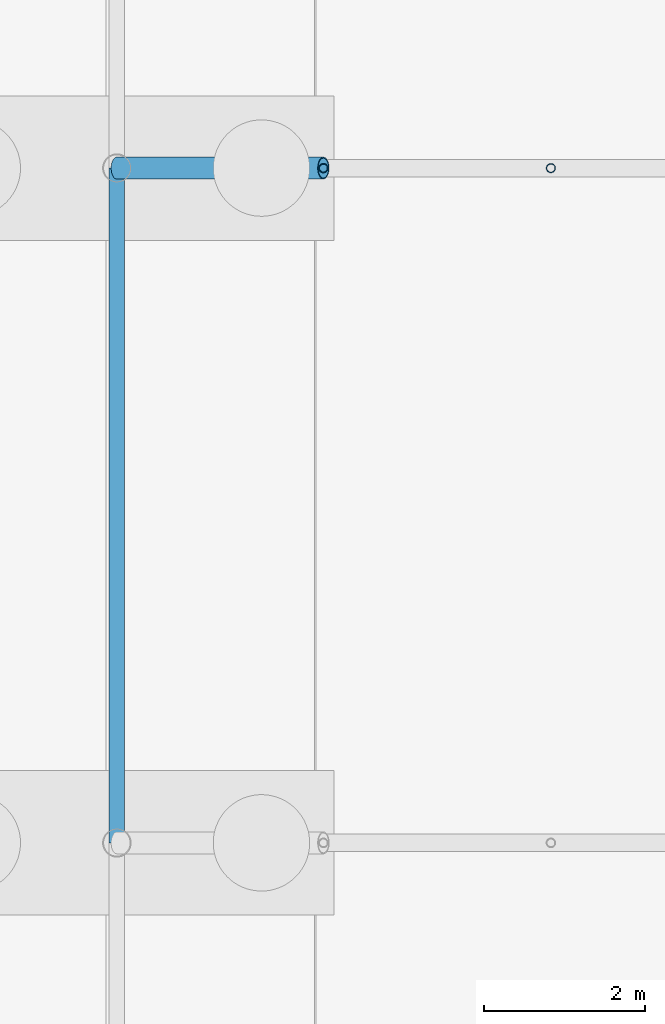
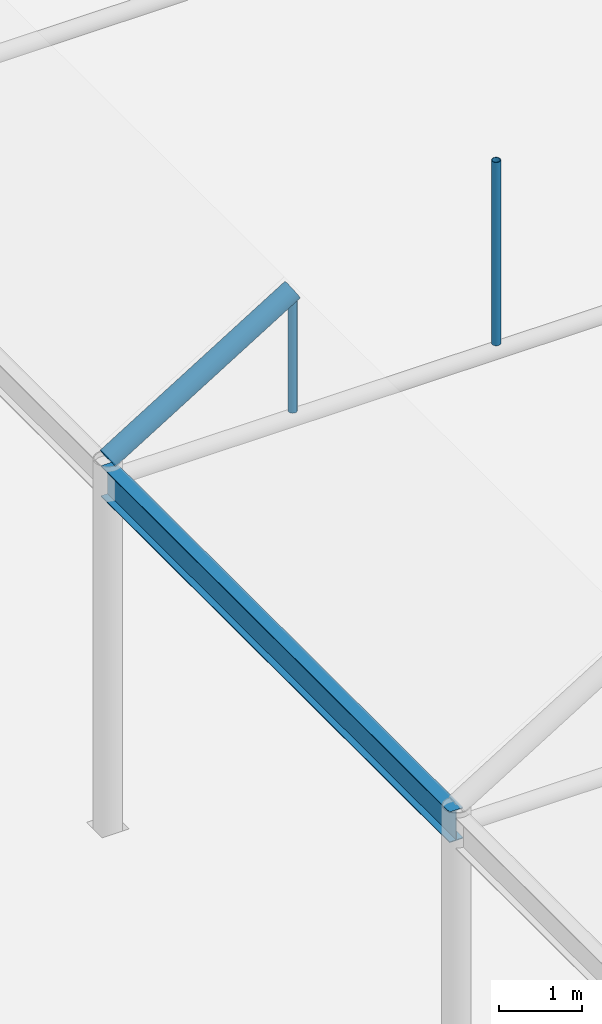
# One storey, part 129 of 212: 3 members, 1 beam.
"""IFC4 building model written with IfcOpenShell, lengths in metres."""

from ifc_helpers import new_model, si_unit, direction, frame, origin, origin_2d, place, context, subcontext, project, spatial, hollow_circle, i_section, extrude, material, material_profile, profile_set, type_object, element, save


model = new_model("IFC4")

# Units and contexts
model_context = context("Model", 3, precision=1e-05, world=origin(), true_north=direction((0.0, 1.0)))
body_context = subcontext(model_context, "Body", "Model", "MODEL_VIEW")
ifc_project = project(units=[si_unit("LENGTHUNIT", "METRE"), si_unit("AREAUNIT", "SQUARE_METRE"), si_unit("VOLUMEUNIT", "CUBIC_METRE"), si_unit("PLANEANGLEUNIT", "RADIAN"), si_unit("MASSUNIT", "GRAM", prefix="KILO")], contexts=[model_context])

# Site, building, storey
site_placement = place(None, origin())
site = spatial("IfcSite", under=ifc_project, at=site_placement, CompositionType="ELEMENT")
building_placement = place(site_placement, origin())
building = spatial("IfcBuilding", under=site, at=building_placement, Name="Catenary Quay Ferry Terminal", CompositionType="ELEMENT")
storey_placement = place(building_placement, origin())
storey = spatial("IfcBuildingStorey", under=building, at=storey_placement, Name="L00", CompositionType="ELEMENT", Elevation=0.0)

# Beam
ifc_material_1 = material(Name="Steel S355", Category="steel")
ifc_material_profile_1 = material_profile(ifc_material_1, i_section(OverallWidth=0.18994140625, OverallDepth=0.453369140625, WebThickness=0.008544921875, FlangeThickness=0.0126953125, at=origin_2d()), Name="UB 457x191x67")
ifc_profile_set_1 = profile_set([ifc_material_profile_1], Name="Steel S355")
beam_type = type_object("IfcBeamType", Name="B1 UB 457x191x67", PredefinedType="BEAM", material=ifc_profile_set_1)
beam_placement = place(storey_placement, frame((8.39990234375, 126.0, 5.10009765625), z_axis=(0.0, 1.0, 0.0), x_axis=(-1.0, 0.0, 0.0)))
element("IfcBeam", 1, at=beam_placement, inside=storey, type_object=beam_type, Name="Eaves beam B-FB8", PredefinedType="BEAM", context=body_context, shape_type="SweptSolid", body=[
    extrude(i_section(OverallWidth=0.18994140625, OverallDepth=0.453369140625, WebThickness=0.008544921875, FlangeThickness=0.0126953125, at=origin_2d()), origin(), (0.0, 0.0, 1.0), 8.39990234375),
])

# Members
ifc_material_2 = material(Name="Steel S355", Category="steel")
ifc_material_profile_2 = material_profile(ifc_material_2, hollow_circle(Radius=0.05712890625, WallThickness=0.00634765625, at=origin_2d()), Name="CHS 114.3x6.3")
ifc_profile_set_2 = profile_set([ifc_material_profile_2], Name="Steel S355")
member_type_1 = type_object("IfcMemberType", Name="HG1 CHS 114.3x6.3", PredefinedType="POST", material=ifc_profile_set_2)
member_1_placement = place(storey_placement, frame((10.970947265625, 134.39990234375, 5.205078125), z_axis=(0.0, 0.0, 1.0), x_axis=(1.0, 0.0, 0.0)))
element("IfcMember", 2, at=member_1_placement, inside=storey, type_object=member_type_1, Name="Hanger FC-09-01", PredefinedType="POST", context=body_context, shape_type="SweptSolid", body=[
    extrude(hollow_circle(Radius=0.05712890625, WallThickness=0.00634765625, at=origin_2d()), origin(), (0.0, 0.0, 1.0), 1.64892578125),
])
member_2_placement = place(storey_placement, frame((13.802978515625, 134.39990234375, 5.205078125), z_axis=(0.0, 0.0, 1.0), x_axis=(1.0, 0.0, 0.0)))
element("IfcMember", 3, at=member_2_placement, inside=storey, type_object=member_type_1, Name="Hanger FC-09-02", PredefinedType="POST", context=body_context, shape_type="SweptSolid", body=[
    extrude(hollow_circle(Radius=0.05712890625, WallThickness=0.00634765625, at=origin_2d()), origin(), (0.0, 0.0, 1.0), 2.69580078125),
])
ifc_material_3 = material(Name="Steel S355", Category="steel")
ifc_material_profile_3 = material_profile(ifc_material_3, hollow_circle(Radius=0.136474609375, WallThickness=0.012451171875, at=origin_2d()), Name="CHS 273x12.5")
ifc_profile_set_3 = profile_set([ifc_material_profile_3], Name="Steel S355")
member_type_2 = type_object("IfcMemberType", Name="VR2 CHS 273x12.5", PredefinedType="RAFTER", material=ifc_profile_set_3)
member_3_placement = place(storey_placement, frame((8.39990234375, 134.39990234375, 5.39990234375), z_axis=(0.851391726314, 0.0, 0.524530388408), x_axis=(0.0, 1.0, 0.0)))
element("IfcMember", 4, at=member_3_placement, inside=storey, type_object=member_type_2, Name="rib FC-09-01", PredefinedType="RAFTER", context=body_context, shape_type="SweptSolid", body=[
    extrude(hollow_circle(Radius=0.136474609375, WallThickness=0.012451171875, at=origin_2d()), origin(), (0.0, 0.0, 1.0), 3.019775390625),
])

save(model, "model.ifc")
